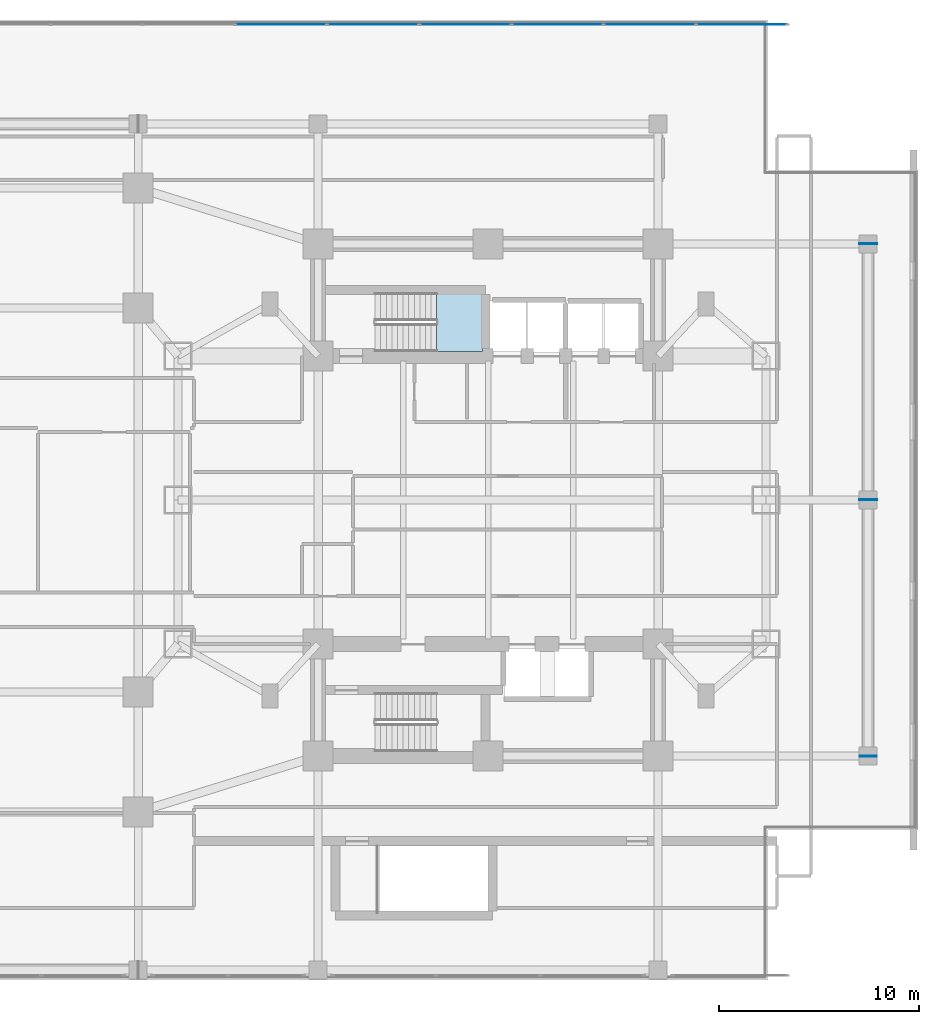
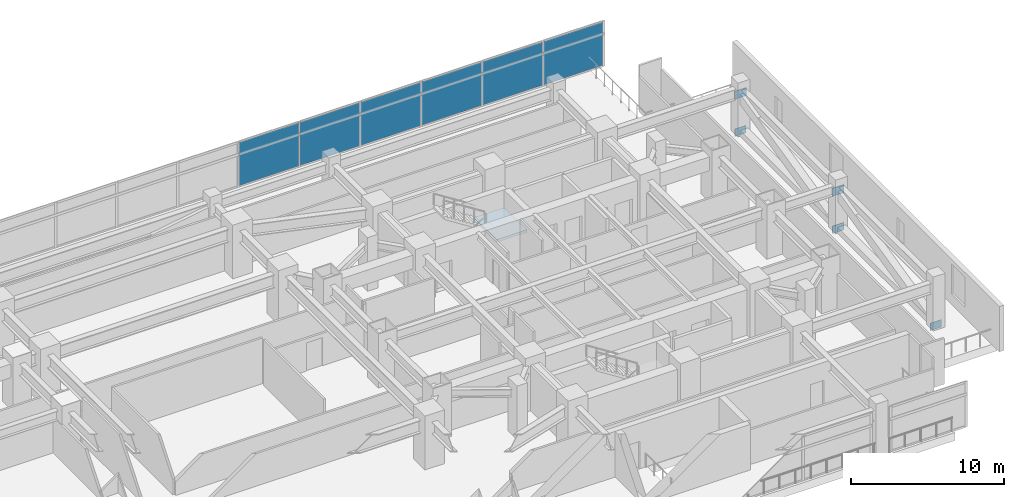
# One storey, part 13 of 27: 11 plates, 1 slab, 2 elements without a shape of their own.
"""IFC4 building model written with IfcOpenShell, lengths in metres."""

import ifcopenshell
import ifcopenshell.guid

model = None  # the IFC model being written
_history = None  # IfcOwnerHistory: only IFC2X3 demands one
_inside = {}  # id of a spatial element -> (the spatial element, [elements in it])
_under = {}  # id of a project, library or spatial element -> (it, [spatial elements below it])
_declared = {}  # id of a project -> (the project, [libraries it declares])
_typed = {}  # id of a type object -> (the type object, [elements of that type])
_made_of = {}  # id of a material, layer set ... -> (it, [elements and type objects made of it])


def new_model(schema):
    """Start an empty IFC model of exactly this schema.

    Asked for "IFC4X3", IfcOpenShell would pick the latest addendum, in which some entities
    have other attributes; the version numbers below select the first issue.
    IFC2X3 requires an IfcOwnerHistory on every rooted entity: one is made here for all.
    """
    global model, _history
    if schema == "IFC4X3":
        model = ifcopenshell.file(schema_version=(4, 3, 0, 0))
    else:
        model = ifcopenshell.file(schema=schema)
    _inside.clear()
    _under.clear()
    _declared.clear()
    _typed.clear()
    _made_of.clear()
    _history = None
    if model.schema == "IFC2X3":
        org = make("IfcOrganization", Name="unknown")
        user = make(
            "IfcPersonAndOrganization",
            ThePerson=make("IfcPerson", FamilyName="unknown"),
            TheOrganization=org,
        )
        app = make(
            "IfcApplication",
            ApplicationDeveloper=org,
            Version="unknown",
            ApplicationFullName="unknown",
            ApplicationIdentifier="unknown",
        )
        _history = make(
            "IfcOwnerHistory",
            OwningUser=user,
            OwningApplication=app,
            ChangeAction="ADDED",
            CreationDate=0,
        )
    return model


def make(cls, **values):
    """One entity of the class cls with the attributes given. An attribute that is None is left unset."""
    return model.create_entity(
        cls, **{name: value for name, value in values.items() if value is not None}
    )


def rooted(cls, **values):
    """An entity with a GlobalId (a new one), such as an element, a storey or a relation."""
    return make(cls, GlobalId=ifcopenshell.guid.new(), OwnerHistory=_history, **values)


def si_unit(unit_type, name, prefix=None):
    """IfcSIUnit, for example si_unit("LENGTHUNIT", "METRE", prefix="MILLI")."""
    return make("IfcSIUnit", UnitType=unit_type, Prefix=prefix, Name=name)


def assignment(units):
    """IfcUnitAssignment: the units of a project."""
    return None if units is None else make("IfcUnitAssignment", Units=units)


def point(xyz):
    """IfcCartesianPoint."""
    return None if xyz is None else make("IfcCartesianPoint", Coordinates=xyz)


def direction(xyz):
    """IfcDirection."""
    return None if xyz is None else make("IfcDirection", DirectionRatios=xyz)


def frame(location, z_axis=None, x_axis=None):
    """IfcAxis2Placement3D, a coordinate frame: its origin and axes. An axis left out is left unset."""
    return make(
        "IfcAxis2Placement3D",
        Location=point(location),
        Axis=direction(z_axis),
        RefDirection=direction(x_axis),
    )


def frame_2d(location, x_axis=None):
    """IfcAxis2Placement2D, a coordinate frame in the plane: its origin and x axis."""
    return make(
        "IfcAxis2Placement2D", Location=point(location), RefDirection=direction(x_axis)
    )


def origin():
    """The frame at (0, 0, 0) with its axes left unset."""
    return frame((0.0, 0.0, 0.0))


def origin_2d():
    """The frame at (0, 0) in the plane with its x axis left unset."""
    return frame_2d((0.0, 0.0))


def place(relative_to, where):
    """IfcLocalPlacement: puts the frame where relative to a parent placement (None: the world)."""
    return make(
        "IfcLocalPlacement", PlacementRelTo=relative_to, RelativePlacement=where
    )


def context(
    kind, dimensions, precision=None, world=None, true_north=None, identifier=None
):
    """IfcGeometricRepresentationContext, for example the 3D "Model" context."""
    return make(
        "IfcGeometricRepresentationContext",
        ContextIdentifier=identifier,
        ContextType=kind,
        CoordinateSpaceDimension=dimensions,
        Precision=precision,
        WorldCoordinateSystem=world,
        TrueNorth=true_north,
    )


def subcontext(parent, identifier, kind, view, scale=None):
    """IfcGeometricRepresentationSubContext, for example "Body" below "Model"."""
    return make(
        "IfcGeometricRepresentationSubContext",
        ContextIdentifier=identifier,
        ContextType=kind,
        ParentContext=parent,
        TargetScale=scale,
        TargetView=view,
    )


def project(units=None, contexts=None):
    """IfcProject with its units and contexts."""
    return rooted(
        "IfcProject",
        Name="project",
        RepresentationContexts=contexts,
        UnitsInContext=assignment(units),
    )


def spatial(cls, under=None, at=None, **own):
    """A site, building, storey or space (cls), placed at a placement, below another one or the project."""
    s = rooted(cls, ObjectPlacement=at, **own)
    if under is not None:
        _under.setdefault(under.id(), (under, []))[1].append(s)
    return s


def polyline(points):
    """IfcPolyline through the points."""
    return make("IfcPolyline", Points=[point(p) for p in points])


def profile(cls, at=None, kind="AREA", **sizes):
    """A parametric profile (cls). Its sizes go by their IFC names, for example OverallWidth=200.0."""
    return make(cls, ProfileType=kind, Position=at, **sizes)


def rectangle(**sizes):
    """IfcRectangleProfileDef."""
    return profile("IfcRectangleProfileDef", **sizes)


def outline(outer, holes=None, kind="AREA"):
    """IfcArbitraryClosedProfileDef: a profile drawn as a closed curve; with holes, ...WithVoids."""
    if holes is None:
        return make("IfcArbitraryClosedProfileDef", ProfileType=kind, OuterCurve=outer)
    return make(
        "IfcArbitraryProfileDefWithVoids",
        ProfileType=kind,
        OuterCurve=outer,
        InnerCurves=holes,
    )


def extrude(swept, where, along, depth):
    """IfcExtrudedAreaSolid: the profile swept, set in the frame where, extruded along a direction by depth."""
    return make(
        "IfcExtrudedAreaSolid",
        SweptArea=swept,
        Position=where,
        ExtrudedDirection=direction(along),
        Depth=depth,
    )


def shape(context_of_items, identifier, shape_type, items):
    """IfcShapeRepresentation: the items that make up one representation, for example the "Body"."""
    return make(
        "IfcShapeRepresentation",
        ContextOfItems=context_of_items,
        RepresentationIdentifier=identifier,
        RepresentationType=shape_type,
        Items=items,
    )


def material(Name=None, Category=None):
    """IfcMaterial."""
    return make("IfcMaterial", Name=Name, Category=Category)


def layer(
    of_material, thickness, ventilated=None, Name=None, Category=None, Priority=None
):
    """IfcMaterialLayer: one layer of a wall or slab, of a material (None: an air gap)."""
    return make(
        "IfcMaterialLayer",
        Material=of_material,
        LayerThickness=thickness,
        IsVentilated=ventilated,
        Name=Name,
        Category=Category,
        Priority=Priority,
    )


def layer_set(layers, Name=None):
    """IfcMaterialLayerSet."""
    return make("IfcMaterialLayerSet", MaterialLayers=layers, LayerSetName=Name)


def made_of(thing, what):
    """Note that an element or type object is made of a material, layer set ...; save() writes the relation."""
    if what is not None:
        _made_of.setdefault(what.id(), (what, []))[1].append(thing)
    return thing


def type_object(cls, material=None, **own):
    """A type object (cls), such as IfcWallType, which elements share."""
    return made_of(rooted(cls, **own), material)


def element(
    cls,
    number,
    at=None,
    inside=None,
    cuts=None,
    type_object=None,
    material=None,
    context=None,
    identifier="Body",
    shape_type=None,
    held_by="IfcProductDefinitionShape",
    body=None,
    shapes=None,
    **own,
):
    """One element of the class cls, such as IfcWall. Its Tag is "e" and its number.

    at: its placement. inside: the storey or other place that contains it. cuts: it is an
    opening in that element (IfcRelVoidsElement). A single representation is given by context,
    identifier, shape_type and body (its items); several are given by shapes. held_by: the class
    of the entity that holds the representations. save() writes the other relations.
    """
    e = rooted(cls, Tag="e%d" % number, ObjectPlacement=at, **own)
    if body is not None:
        shapes = [shape(context, identifier, shape_type, body)]
    if shapes is not None:
        e.Representation = make(held_by, Representations=shapes)
    if inside is not None:
        _inside.setdefault(inside.id(), (inside, []))[1].append(e)
    if cuts is not None:
        rooted(
            "IfcRelVoidsElement", RelatingBuildingElement=cuts, RelatedOpeningElement=e
        )
    if type_object is not None:
        _typed.setdefault(type_object.id(), (type_object, []))[1].append(e)
    return made_of(e, material)


def aggregate(whole, parts):
    """IfcRelAggregates: a whole, such as a stair, and the parts it consists of."""
    return rooted("IfcRelAggregates", RelatingObject=whole, RelatedObjects=parts)


def save(model, path):
    """Write the relations noted so far, then the file.

    IfcRelAggregates (storeys below a building ...), IfcRelContainedInSpatialStructure (elements
    in a storey), IfcRelDefinesByType, IfcRelAssociatesMaterial and IfcRelDeclares: one each for
    every whole, place, type object, material and project.
    """
    for whole, parts in _under.values():
        aggregate(whole, parts)
    for where, things in _inside.values():
        rooted(
            "IfcRelContainedInSpatialStructure",
            RelatedElements=things,
            RelatingStructure=where,
        )
    for kind, things in _typed.values():
        rooted("IfcRelDefinesByType", RelatedObjects=things, RelatingType=kind)
    for what, things in _made_of.values():
        rooted("IfcRelAssociatesMaterial", RelatedObjects=things, RelatingMaterial=what)
    for by, libraries in _declared.values():
        rooted("IfcRelDeclares", RelatingContext=by, RelatedDefinitions=libraries)
    model.write(path)


model = new_model("IFC4")

# Units and contexts
model_context = context("Model", 3, precision=1e-05, world=origin(), true_north=direction((0.0, 1.0)))
body_context = subcontext(model_context, "Body", "Model", "MODEL_VIEW")
ifc_project = project(units=[si_unit("LENGTHUNIT", "METRE"), si_unit("AREAUNIT", "SQUARE_METRE"), si_unit("VOLUMEUNIT", "CUBIC_METRE"), si_unit("PLANEANGLEUNIT", "RADIAN"), si_unit("MASSUNIT", "GRAM", prefix="KILO")], contexts=[model_context])

# Site, building, storey
site_placement = place(None, origin())
site = spatial("IfcSite", under=ifc_project, at=site_placement, CompositionType="ELEMENT")
building_placement = place(site_placement, origin())
building = spatial("IfcBuilding", under=site, at=building_placement, Name="Mirazonda Arch Towers", CompositionType="ELEMENT")
storey_placement = place(building_placement, frame((0.0, 0.0, 18.10009765625)))
storey = spatial("IfcBuildingStorey", under=building, at=storey_placement, Name="L04", CompositionType="ELEMENT", Elevation=18.10009765625)

# Curtain wall, plates
ifc_material_1 = material(Name="Anodised Aluminium and Low-E Glass", Category="aluminium")
curtain_wall_type = type_object("IfcCurtainWallType", Name="CW-POD-STORE", PredefinedType="NOTDEFINED", material=ifc_material_1)
curtain_wall_placement = place(storey_placement, origin())
curtain_wall = element("IfcCurtainWall", 1, at=curtain_wall_placement, inside=storey, type_object=curtain_wall_type, Name="L04 Curtain Wall CW-L04-N1", PredefinedType="NOTDEFINED")
ifc_material_2 = material(Name="Insulated Low-E Solar Glass", Category="glass")
ifc_layer_1 = layer(ifc_material_2, 0.028076171875, Name="PAN-CW-POD-STORE")
ifc_layer_set_1 = layer_set([ifc_layer_1], Name="Insulated Low-E Solar Glass")
plate_type_1 = type_object("IfcPlateType", Name="PAN-CW-POD-STORE", PredefinedType="CURTAIN_PANEL", material=ifc_layer_set_1)
plate_1_placement = place(storey_placement, frame((66.138916015625, 51.780029296875, 0.080078125), z_axis=(0.0, 0.0, 1.0), x_axis=(1.0, 0.0, 0.0)))
plate_1 = element("IfcPlate", 2, at=plate_1_placement, type_object=plate_type_1, Name="CW-102 panel 13.1", PredefinedType="CURTAIN_PANEL", context=body_context, shape_type="SweptSolid", body=[
    extrude(rectangle(XDim=4.531005859375, YDim=0.028076171875, at=origin_2d()), origin(), (0.0, 0.0, 1.0), 3.469970703125),
])
plate_2_placement = place(storey_placement, frame((70.75, 51.780029296875, 0.080078125), z_axis=(0.0, 0.0, 1.0), x_axis=(1.0, 0.0, 0.0)))
plate_2 = element("IfcPlate", 3, at=plate_2_placement, type_object=plate_type_1, Name="CW-102 panel 14.1", PredefinedType="CURTAIN_PANEL", context=body_context, shape_type="SweptSolid", body=[
    extrude(rectangle(XDim=4.531005859375, YDim=0.028076171875, at=origin_2d()), origin(), (0.0, 0.0, 1.0), 3.469970703125),
])
plate_3_placement = place(storey_placement, frame((75.361083984375, 51.780029296875, 0.080078125), z_axis=(0.0, 0.0, 1.0), x_axis=(1.0, 0.0, 0.0)))
plate_3 = element("IfcPlate", 4, at=plate_3_placement, type_object=plate_type_1, Name="CW-102 panel 15.1", PredefinedType="CURTAIN_PANEL", context=body_context, shape_type="SweptSolid", body=[
    extrude(rectangle(XDim=4.531005859375, YDim=0.028076171875, at=origin_2d()), origin(), (0.0, 0.0, 1.0), 3.469970703125),
])
plate_4_placement = place(storey_placement, frame((79.97216796875, 51.780029296875, 0.080078125), z_axis=(0.0, 0.0, 1.0), x_axis=(1.0, 0.0, 0.0)))
plate_4 = element("IfcPlate", 5, at=plate_4_placement, type_object=plate_type_1, Name="CW-102 panel 16.1", PredefinedType="CURTAIN_PANEL", context=body_context, shape_type="SweptSolid", body=[
    extrude(rectangle(XDim=4.531005859375, YDim=0.028076171875, at=origin_2d()), origin(), (0.0, 0.0, 1.0), 3.469970703125),
])
plate_5_placement = place(storey_placement, frame((84.583251953125, 51.780029296875, 0.080078125), z_axis=(0.0, 0.0, 1.0), x_axis=(1.0, 0.0, 0.0)))
plate_5 = element("IfcPlate", 6, at=plate_5_placement, type_object=plate_type_1, Name="CW-102 panel 17.1", PredefinedType="CURTAIN_PANEL", context=body_context, shape_type="SweptSolid", body=[
    extrude(rectangle(XDim=4.531005859375, YDim=0.028076171875, at=origin_2d()), origin(), (0.0, 0.0, 1.0), 3.469970703125),
])
plate_6_placement = place(storey_placement, frame((89.174560546875, 51.780029296875, 0.080078125), z_axis=(0.0, 0.0, 1.0), x_axis=(1.0, 0.0, 0.0)))
plate_6 = element("IfcPlate", 7, at=plate_6_placement, type_object=plate_type_1, Name="CW-102 panel 18.1", PredefinedType="CURTAIN_PANEL", context=body_context, shape_type="SweptSolid", body=[
    extrude(rectangle(XDim=4.4912109375, YDim=0.028076171875, at=origin_2d()), origin(), (0.0, 0.0, 1.0), 3.469970703125),
])
aggregate(curtain_wall, [plate_1, plate_2, plate_3, plate_4, plate_5, plate_6])

# Plates
ifc_material_3 = material(Name="Steel ASTM A572 Grade 50", Category="steel")
ifc_layer_2 = layer(ifc_material_3, 0.035888671875, Name="PLATE-CAP-850x600x36")
ifc_layer_set_2 = layer_set([ifc_layer_2], Name="Steel ASTM A572 Grade 50")
plate_type_2 = type_object("IfcPlateType", Name="PLATE-CAP-850x600x36", PredefinedType="USERDEFINED", material=ifc_layer_set_2)
for number, where, z_axis, x_axis, name in (
    (8, (95.5, 15.19189453125, -0.250244140625), (0.0, 0.0, 1.0), (0.0, -1.0, 0.0), "Steel end closure plate NP-L04-BC-03A"),
    (9, (95.5, 28.008056640625, -0.250244140625), (0.0, 0.0, 1.0), (0.0, 1.0, 0.0), "Steel end closure plate NP-L04-BC-03B"),
    (10, (95.5, 40.80810546875, -0.250244140625), (0.0, 0.0, 1.0), (0.0, 1.0, 0.0), "Steel end closure plate NP-L04-BC-04B"),
):
    element("IfcPlate", number, at=place(storey_placement, frame(where, z_axis=z_axis, x_axis=x_axis)), inside=storey, type_object=plate_type_2, Name=name, ObjectType="CAP PLATE", PredefinedType="USERDEFINED", context=body_context, shape_type="SweptSolid", body=[
        extrude(rectangle(XDim=0.0400390625, YDim=0.85009765625, at=origin_2d()), origin(), (0.0, 0.0, 1.0), 0.60009765625),
    ])
ifc_layer_3 = layer(ifc_material_3, 0.031982421875, Name="PLATE-GUSSET-900x650x32")
ifc_layer_set_3 = layer_set([ifc_layer_3], Name="Steel ASTM A572 Grade 50")
plate_type_3 = type_object("IfcPlateType", Name="PLATE-GUSSET-900x650x32", PredefinedType="USERDEFINED", material=ifc_layer_set_3)
for number, where, z_axis, x_axis, name in (
    (11, (95.5, 28.0078125, 2.726806640625), (0.0, 0.0, 1.0), (0.0, 1.0, 0.0), "Steel end closure plate NP-L04-DG-03A1"),
    (12, (95.5, 40.807861328125, 2.726806640625), (0.0, 0.0, 1.0), (0.0, 1.0, 0.0), "Steel end closure plate NP-L04-DG-04A1"),
):
    element("IfcPlate", number, at=place(storey_placement, frame(where, z_axis=z_axis, x_axis=x_axis)), inside=storey, type_object=plate_type_3, Name=name, ObjectType="GUSSET_PLATE", PredefinedType="USERDEFINED", context=body_context, shape_type="SweptSolid", body=[
        extrude(rectangle(XDim=0.0400390625, YDim=0.89990234375, at=origin_2d()), origin(), (0.0, 0.0, 1.0), 0.64990234375),
    ])

# Stair, slab
ifc_material_4 = material(Name="Concrete C40/50", Category="concrete")
stair_type = type_object("IfcStairType", Name="STAIR-CORE-1400", PredefinedType="HALF_TURN_STAIR", material=ifc_material_4)
stair_placement = place(storey_placement, origin())
stair = element("IfcStair", 13, at=stair_placement, inside=storey, type_object=stair_type, Name="L04 Protected Exit Stair ST-T2N", PredefinedType="HALF_TURN_STAIR")
ifc_layer_4 = layer(ifc_material_4, 0.18994140625, Name="SLAB-LANDING-190")
ifc_layer_set_4 = layer_set([ifc_layer_4], Name="Concrete C40/50")
slab_type = type_object("IfcSlabType", Name="SLAB-LANDING-190", PredefinedType="LANDING", material=ifc_layer_set_4)
slab_placement = place(storey_placement, frame((0.0, 0.0, 1.949951171875)))
slab = element("IfcSlab", 14, at=slab_placement, type_object=slab_type, Name="ST-T2N landing 1", PredefinedType="LANDING", context=body_context, shape_type="SweptSolid", body=[
    extrude(outline(polyline([(73.929931640625, 35.419921875), (76.22998046875, 35.419921875), (76.22998046875, 38.360107421875), (73.929931640625, 38.360107421875), (73.929931640625, 35.419921875)])), origin(), (0.0, 0.0, 1.0), 0.199951171875),
])
aggregate(stair, [slab])

save(model, "model.ifc")
